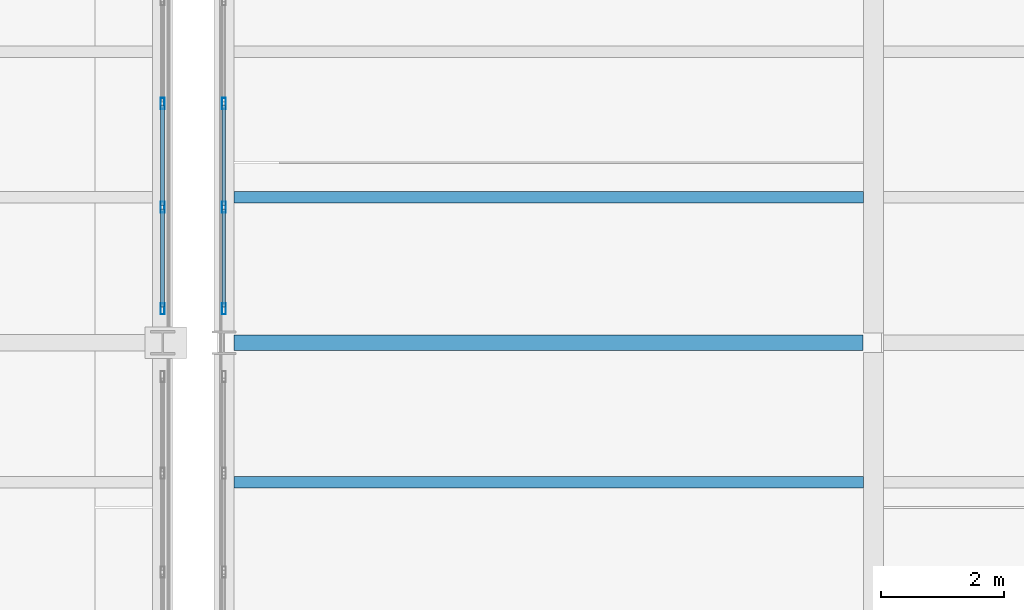
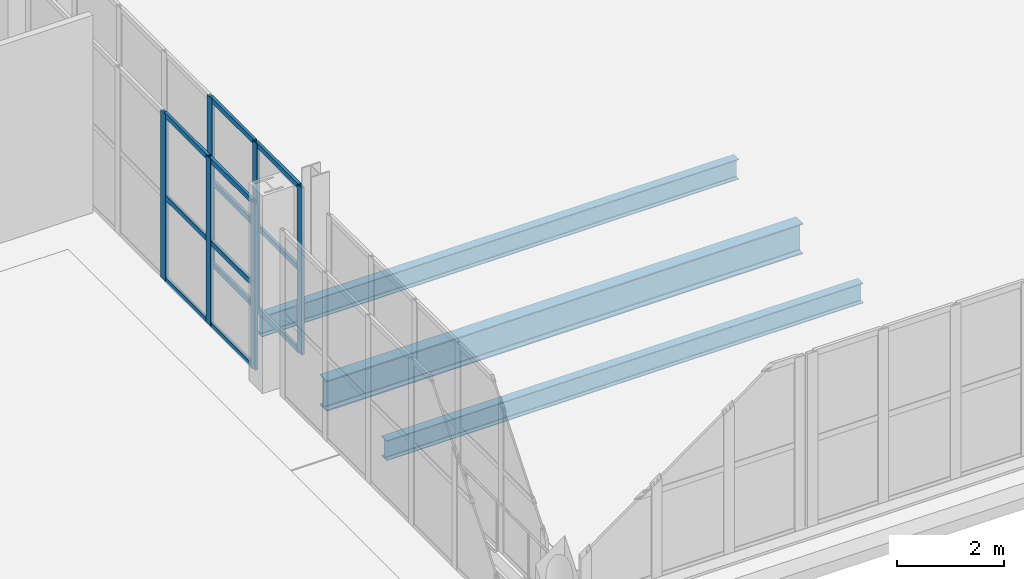
# One storey, part 34 of 156: 18 members, 3 beams, 2 elements without a shape of their own.
"""IFC4 building model written with IfcOpenShell, lengths in metres."""

from ifc_helpers import new_model, si_unit, direction, frame, origin, origin_2d, place, context, subcontext, project, spatial, hollow_rectangle, i_section, extrude, material, material_profile, profile_set, type_object, element, aggregate, save


model = new_model("IFC4")

# Units and contexts
model_context = context("Model", 3, precision=1e-05, world=origin(), true_north=direction((0.0, 1.0)))
body_context = subcontext(model_context, "Body", "Model", "MODEL_VIEW")
ifc_project = project(units=[si_unit("LENGTHUNIT", "METRE"), si_unit("AREAUNIT", "SQUARE_METRE"), si_unit("VOLUMEUNIT", "CUBIC_METRE"), si_unit("PLANEANGLEUNIT", "RADIAN"), si_unit("MASSUNIT", "GRAM", prefix="KILO")], contexts=[model_context])

# Site, building, storey
site_placement = place(None, origin())
site = spatial("IfcSite", under=ifc_project, at=site_placement, CompositionType="ELEMENT")
building_placement = place(site_placement, origin())
building = spatial("IfcBuilding", under=site, at=building_placement, Name="Caurita Quay Ferry Terminal", CompositionType="ELEMENT")
storey_placement = place(building_placement, frame((0.0, 0.0, 5.39990234375)))
storey = spatial("IfcBuildingStorey", under=building, at=storey_placement, Name="L01", CompositionType="ELEMENT", Elevation=5.39990234375)

# Beams
ifc_material_1 = material(Name="Structural steel ASTM A992 Gr. 50", Category="steel")
ifc_material_profile_1 = material_profile(ifc_material_1, i_section(OverallWidth=0.256591796875, OverallDepth=0.693359375, WebThickness=0.014404296875, FlangeThickness=0.023681640625, FilletRadius=0.017822265625, at=origin_2d()), Name="W27X114")
ifc_profile_set_1 = profile_set([ifc_material_profile_1], Name="Structural steel ASTM A992 Gr. 50")
beam_type_1 = type_object("IfcBeamType", Name="BM-GR-W27A", PredefinedType="BEAM", material=ifc_profile_set_1)
beam_placement = place(storey_placement, frame((88.76953125, 43.699951171875, -0.646484375), z_axis=(1.0, 0.0, 0.0), x_axis=(0.0, 1.0, 0.0)))
element("IfcBeam", 1, at=beam_placement, inside=storey, type_object=beam_type_1, Name="L01 Beam BM-V2-L01-X-888-437", PredefinedType="BEAM", context=body_context, shape_type="SweptSolid", body=[
    extrude(i_section(OverallWidth=0.256591796875, OverallDepth=0.693359375, WebThickness=0.014404296875, FlangeThickness=0.023681640625, FilletRadius=0.017822265625, at=origin_2d()), origin(), (0.0, 0.0, 1.0), 10.26220703125),
])
ifc_material_profile_2 = material_profile(ifc_material_1, i_section(OverallWidth=0.1904296875, OverallDepth=0.457275390625, WebThickness=0.009033203125, FlangeThickness=0.014404296875, FilletRadius=0.0126953125, at=origin_2d()), Name="W18X50")
ifc_profile_set_2 = profile_set([ifc_material_profile_2], Name="Structural steel ASTM A992 Gr. 50")
beam_type_2 = type_object("IfcBeamType", Name="BM-JS-W18B", PredefinedType="JOIST", material=ifc_profile_set_2)
for number, where, z_axis, x_axis, name in (
    (2, (88.762451171875, 41.425048828125, -0.528564453125), (1.0, 0.0, 0.0), (0.0, 1.0, 0.0), "L01 Beam JS-V2-L01-003"),
    (3, (88.762451171875, 46.074951171875, -0.528564453125), (1.0, 0.0, 0.0), (0.0, 1.0, 0.0), "L01 Beam JS-V2-L01-004"),
):
    element("IfcBeam", number, at=place(storey_placement, frame(where, z_axis=z_axis, x_axis=x_axis)), inside=storey, type_object=beam_type_2, Name=name, PredefinedType="JOIST", context=body_context, shape_type="SweptSolid", body=[
        extrude(i_section(OverallWidth=0.1904296875, OverallDepth=0.457275390625, WebThickness=0.009033203125, FlangeThickness=0.014404296875, FilletRadius=0.0126953125, at=origin_2d()), origin(), (0.0, 0.0, 1.0), 10.275146484375),
    ])

# Curtain wall, members
ifc_material_2 = material(Name="Laminated solar-control insulated glass", Category="glass")
curtain_wall_type = type_object("IfcCurtainWallType", Name="CW-SYS-12", PredefinedType="NOTDEFINED", material=ifc_material_2)
curtain_wall_1_placement = place(storey_placement, origin())
curtain_wall_1 = element("IfcCurtainWall", 4, at=curtain_wall_1_placement, inside=storey, type_object=curtain_wall_type, Name="Concourse Gable Curtain Wall 081", PredefinedType="NOTDEFINED")
ifc_material_3 = material(Name="Anodized aluminium 6063-T6", Category="aluminium")
ifc_material_profile_3 = material_profile(ifc_material_3, hollow_rectangle(XDim=0.06494140625, YDim=0.179931640625, WallThickness=0.00390625, at=origin_2d()), Name="ALU-MUL-65X180")
ifc_profile_set_3 = profile_set([ifc_material_profile_3], Name="Anodized aluminium 6063-T6")
member_type_1 = type_object("IfcMemberType", Name="CW-MUL-180", PredefinedType="MULLION", material=ifc_profile_set_3)
member_1_placement = place(storey_placement, frame((87.60009765625, 44.25244140625, 0.0), z_axis=(0.0, 0.0, 1.0), x_axis=(-1.0, 0.0, 0.0)))
member_1 = element("IfcMember", 5, at=member_1_placement, type_object=member_type_1, Name="CW-GBL-081 Mullion 1", PredefinedType="MULLION", context=body_context, shape_type="SweptSolid", body=[
    extrude(hollow_rectangle(XDim=0.06494140625, YDim=0.179931640625, WallThickness=0.00390625, at=origin_2d()), origin(), (0.0, 0.0, 1.0), 3.800048828125),
])
member_2_placement = place(storey_placement, frame((87.60009765625, 45.912109375, 0.0), z_axis=(0.0, 0.0, 1.0), x_axis=(-1.0, 0.0, 0.0)))
member_2 = element("IfcMember", 6, at=member_2_placement, type_object=member_type_1, Name="CW-GBL-081 Mullion 2", PredefinedType="MULLION", context=body_context, shape_type="SweptSolid", body=[
    extrude(hollow_rectangle(XDim=0.06494140625, YDim=0.179931640625, WallThickness=0.00390625, at=origin_2d()), origin(), (0.0, 0.0, 1.0), 3.800048828125),
])
member_3_placement = place(storey_placement, frame((87.60009765625, 47.60400390625, 0.0), z_axis=(0.0, 0.0, 1.0), x_axis=(-1.0, 0.0, 0.0)))
member_3 = element("IfcMember", 7, at=member_3_placement, type_object=member_type_1, Name="CW-GBL-081 Mullion 3", PredefinedType="MULLION", context=body_context, shape_type="SweptSolid", body=[
    extrude(hollow_rectangle(XDim=0.06494140625, YDim=0.179931640625, WallThickness=0.00390625, at=origin_2d()), origin(), (0.0, 0.0, 1.0), 3.800048828125),
])

curtain_wall_2_placement = place(storey_placement, origin())
curtain_wall_2 = element("IfcCurtainWall", 8, at=curtain_wall_2_placement, inside=storey, type_object=curtain_wall_type, Name="Concourse Gable Curtain Wall 084", PredefinedType="NOTDEFINED")
member_4_placement = place(storey_placement, frame((88.60009765625, 44.25244140625, 0.0), z_axis=(0.0, 0.0, 1.0), x_axis=(-1.0, 0.0, 0.0)))
member_4 = element("IfcMember", 9, at=member_4_placement, type_object=member_type_1, Name="CW-GBL-084 Mullion 1", PredefinedType="MULLION", context=body_context, shape_type="SweptSolid", body=[
    extrude(hollow_rectangle(XDim=0.06494140625, YDim=0.179931640625, WallThickness=0.00390625, at=origin_2d()), origin(), (0.0, 0.0, 1.0), 3.800048828125),
])
member_5_placement = place(storey_placement, frame((88.60009765625, 45.912109375, 0.0), z_axis=(0.0, 0.0, 1.0), x_axis=(-1.0, 0.0, 0.0)))
member_5 = element("IfcMember", 10, at=member_5_placement, type_object=member_type_1, Name="CW-GBL-084 Mullion 2", PredefinedType="MULLION", context=body_context, shape_type="SweptSolid", body=[
    extrude(hollow_rectangle(XDim=0.06494140625, YDim=0.179931640625, WallThickness=0.00390625, at=origin_2d()), origin(), (0.0, 0.0, 1.0), 3.800048828125),
])
member_6_placement = place(storey_placement, frame((88.60009765625, 47.60400390625, 0.0), z_axis=(0.0, 0.0, 1.0), x_axis=(-1.0, 0.0, 0.0)))
member_6 = element("IfcMember", 11, at=member_6_placement, type_object=member_type_1, Name="CW-GBL-084 Mullion 3", PredefinedType="MULLION", context=body_context, shape_type="SweptSolid", body=[
    extrude(hollow_rectangle(XDim=0.06494140625, YDim=0.179931640625, WallThickness=0.00390625, at=origin_2d()), origin(), (0.0, 0.0, 1.0), 3.800048828125),
])

# Member
ifc_material_profile_4 = material_profile(ifc_material_3, hollow_rectangle(XDim=0.06005859375, YDim=0.114990234375, WallThickness=0.00341796875, at=origin_2d()), Name="ALU-TRN-60X115")
ifc_profile_set_4 = profile_set([ifc_material_profile_4], Name="Anodized aluminium 6063-T6")
member_type_2 = type_object("IfcMemberType", Name="CW-TRN-115", PredefinedType="USERDEFINED", material=ifc_profile_set_4)
member_7_placement = place(storey_placement, frame((87.60009765625, 44.282958984375, 0.030029296875), z_axis=(0.0, 1.0, 0.0), x_axis=(-1.0, 0.0, 0.0)))
member_7 = element("IfcMember", 12, at=member_7_placement, type_object=member_type_2, Name="CW-GBL-081 Transom 1", ObjectType="TRANSOM", PredefinedType="USERDEFINED", context=body_context, shape_type="SweptSolid", body=[
    extrude(hollow_rectangle(XDim=0.06005859375, YDim=0.114990234375, WallThickness=0.00341796875, at=origin_2d()), origin(), (0.0, 0.0, 1.0), 1.5986328125),
])

member_8_placement = place(storey_placement, frame((87.60009765625, 44.282958984375, 1.900146484375), z_axis=(0.0, 1.0, 0.0), x_axis=(-1.0, 0.0, 0.0)))
member_8 = element("IfcMember", 13, at=member_8_placement, type_object=member_type_2, Name="CW-GBL-081 Transom 2", ObjectType="TRANSOM", PredefinedType="USERDEFINED", context=body_context, shape_type="SweptSolid", body=[
    extrude(hollow_rectangle(XDim=0.06005859375, YDim=0.114990234375, WallThickness=0.00341796875, at=origin_2d()), origin(), (0.0, 0.0, 1.0), 1.5986328125),
])

member_9_placement = place(storey_placement, frame((87.60009765625, 44.282958984375, 3.77001953125), z_axis=(0.0, 1.0, 0.0), x_axis=(-1.0, 0.0, 0.0)))
member_9 = element("IfcMember", 14, at=member_9_placement, type_object=member_type_2, Name="CW-GBL-081 Transom 3", ObjectType="TRANSOM", PredefinedType="USERDEFINED", context=body_context, shape_type="SweptSolid", body=[
    extrude(hollow_rectangle(XDim=0.06005859375, YDim=0.114990234375, WallThickness=0.00341796875, at=origin_2d()), origin(), (0.0, 0.0, 1.0), 1.5986328125),
])

member_10_placement = place(storey_placement, frame((87.60009765625, 45.9423828125, 0.030029296875), z_axis=(0.0, 1.0, 0.0), x_axis=(-1.0, 0.0, 0.0)))
member_10 = element("IfcMember", 15, at=member_10_placement, type_object=member_type_2, Name="CW-GBL-081 Transom 4", ObjectType="TRANSOM", PredefinedType="USERDEFINED", context=body_context, shape_type="SweptSolid", body=[
    extrude(hollow_rectangle(XDim=0.06005859375, YDim=0.114990234375, WallThickness=0.00341796875, at=origin_2d()), origin(), (0.0, 0.0, 1.0), 1.631103515625),
])

member_11_placement = place(storey_placement, frame((87.60009765625, 45.9423828125, 1.900146484375), z_axis=(0.0, 1.0, 0.0), x_axis=(-1.0, 0.0, 0.0)))
member_11 = element("IfcMember", 16, at=member_11_placement, type_object=member_type_2, Name="CW-GBL-081 Transom 5", ObjectType="TRANSOM", PredefinedType="USERDEFINED", context=body_context, shape_type="SweptSolid", body=[
    extrude(hollow_rectangle(XDim=0.06005859375, YDim=0.114990234375, WallThickness=0.00341796875, at=origin_2d()), origin(), (0.0, 0.0, 1.0), 1.631103515625),
])

member_12_placement = place(storey_placement, frame((87.60009765625, 45.9423828125, 3.77001953125), z_axis=(0.0, 1.0, 0.0), x_axis=(-1.0, 0.0, 0.0)))
member_12 = element("IfcMember", 17, at=member_12_placement, type_object=member_type_2, Name="CW-GBL-081 Transom 6", ObjectType="TRANSOM", PredefinedType="USERDEFINED", context=body_context, shape_type="SweptSolid", body=[
    extrude(hollow_rectangle(XDim=0.06005859375, YDim=0.114990234375, WallThickness=0.00341796875, at=origin_2d()), origin(), (0.0, 0.0, 1.0), 1.631103515625),
])

aggregate(curtain_wall_1, [member_1, member_2, member_3, member_7, member_8, member_9, member_10, member_11, member_12])

member_13_placement = place(storey_placement, frame((88.60009765625, 44.282958984375, 0.030029296875), z_axis=(0.0, 1.0, 0.0), x_axis=(-1.0, 0.0, 0.0)))
member_13 = element("IfcMember", 18, at=member_13_placement, type_object=member_type_2, Name="CW-GBL-084 Transom 1", ObjectType="TRANSOM", PredefinedType="USERDEFINED", context=body_context, shape_type="SweptSolid", body=[
    extrude(hollow_rectangle(XDim=0.06005859375, YDim=0.114990234375, WallThickness=0.00341796875, at=origin_2d()), origin(), (0.0, 0.0, 1.0), 1.5986328125),
])

member_14_placement = place(storey_placement, frame((88.60009765625, 44.282958984375, 1.900146484375), z_axis=(0.0, 1.0, 0.0), x_axis=(-1.0, 0.0, 0.0)))
member_14 = element("IfcMember", 19, at=member_14_placement, type_object=member_type_2, Name="CW-GBL-084 Transom 2", ObjectType="TRANSOM", PredefinedType="USERDEFINED", context=body_context, shape_type="SweptSolid", body=[
    extrude(hollow_rectangle(XDim=0.06005859375, YDim=0.114990234375, WallThickness=0.00341796875, at=origin_2d()), origin(), (0.0, 0.0, 1.0), 1.5986328125),
])

member_15_placement = place(storey_placement, frame((88.60009765625, 44.282958984375, 3.77001953125), z_axis=(0.0, 1.0, 0.0), x_axis=(-1.0, 0.0, 0.0)))
member_15 = element("IfcMember", 20, at=member_15_placement, type_object=member_type_2, Name="CW-GBL-084 Transom 3", ObjectType="TRANSOM", PredefinedType="USERDEFINED", context=body_context, shape_type="SweptSolid", body=[
    extrude(hollow_rectangle(XDim=0.06005859375, YDim=0.114990234375, WallThickness=0.00341796875, at=origin_2d()), origin(), (0.0, 0.0, 1.0), 1.5986328125),
])

member_16_placement = place(storey_placement, frame((88.60009765625, 45.9423828125, 0.030029296875), z_axis=(0.0, 1.0, 0.0), x_axis=(-1.0, 0.0, 0.0)))
member_16 = element("IfcMember", 21, at=member_16_placement, type_object=member_type_2, Name="CW-GBL-084 Transom 4", ObjectType="TRANSOM", PredefinedType="USERDEFINED", context=body_context, shape_type="SweptSolid", body=[
    extrude(hollow_rectangle(XDim=0.06005859375, YDim=0.114990234375, WallThickness=0.00341796875, at=origin_2d()), origin(), (0.0, 0.0, 1.0), 1.631103515625),
])

member_17_placement = place(storey_placement, frame((88.60009765625, 45.9423828125, 1.900146484375), z_axis=(0.0, 1.0, 0.0), x_axis=(-1.0, 0.0, 0.0)))
member_17 = element("IfcMember", 22, at=member_17_placement, type_object=member_type_2, Name="CW-GBL-084 Transom 5", ObjectType="TRANSOM", PredefinedType="USERDEFINED", context=body_context, shape_type="SweptSolid", body=[
    extrude(hollow_rectangle(XDim=0.06005859375, YDim=0.114990234375, WallThickness=0.00341796875, at=origin_2d()), origin(), (0.0, 0.0, 1.0), 1.631103515625),
])

member_18_placement = place(storey_placement, frame((88.60009765625, 45.9423828125, 3.77001953125), z_axis=(0.0, 1.0, 0.0), x_axis=(-1.0, 0.0, 0.0)))
member_18 = element("IfcMember", 23, at=member_18_placement, type_object=member_type_2, Name="CW-GBL-084 Transom 6", ObjectType="TRANSOM", PredefinedType="USERDEFINED", context=body_context, shape_type="SweptSolid", body=[
    extrude(hollow_rectangle(XDim=0.06005859375, YDim=0.114990234375, WallThickness=0.00341796875, at=origin_2d()), origin(), (0.0, 0.0, 1.0), 1.631103515625),
])

aggregate(curtain_wall_2, [member_4, member_5, member_6, member_13, member_14, member_15, member_16, member_17, member_18])

save(model, "model.ifc")
